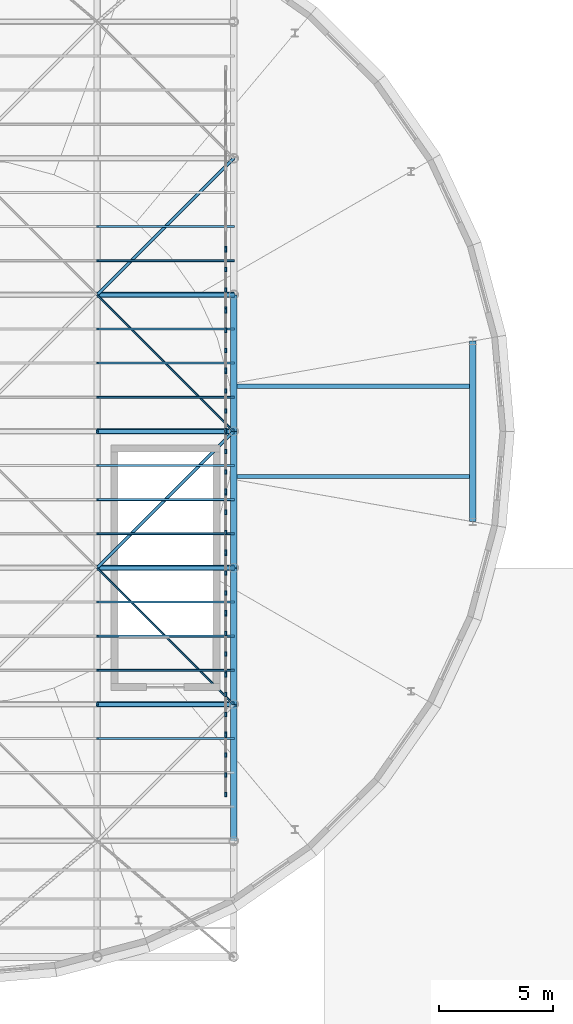
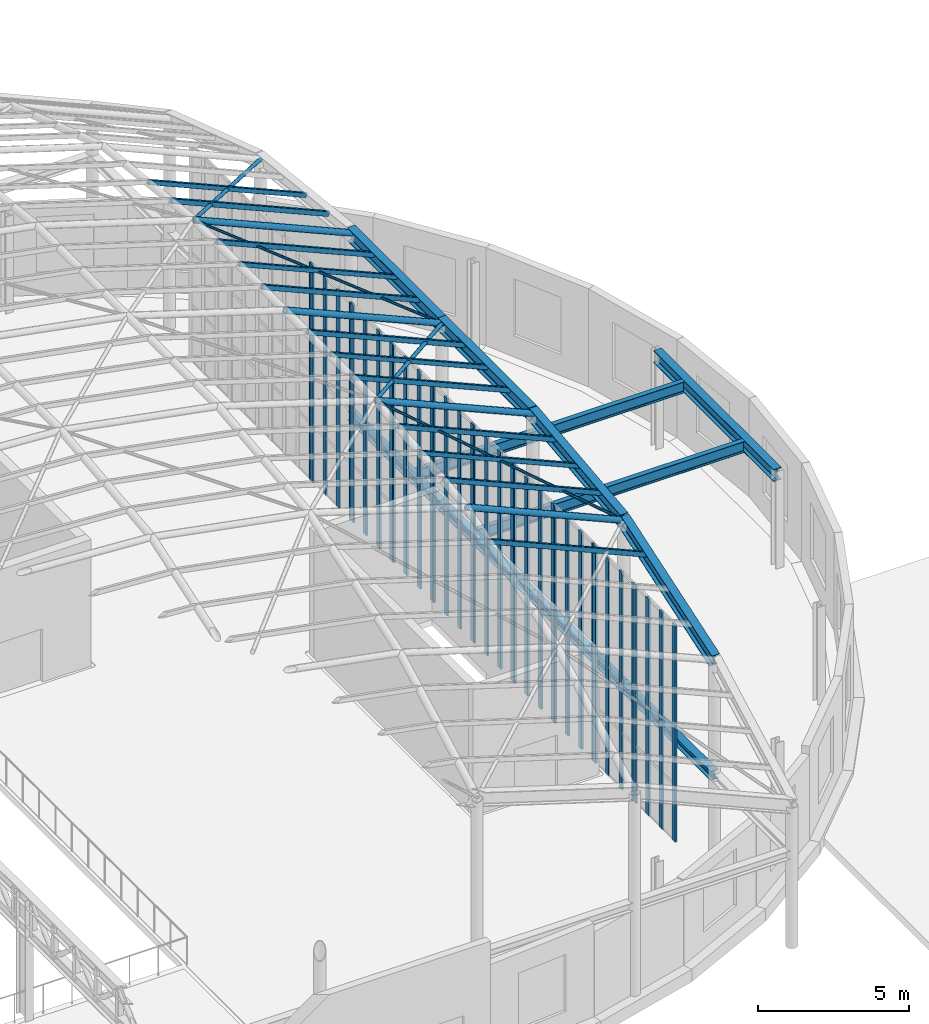
# One storey, part 39 of 75: 57 members, 11 beams, 10 elements without a shape of their own.
"""IFC4 building model written with IfcOpenShell, lengths in metres."""

from ifc_helpers import new_model, si_unit, direction, frame, origin, origin_2d, place, context, subcontext, project, spatial, rectangle, hollow_rectangle, hollow_circle, i_section, extrude, material, material_profile, profile_set, type_object, element, aggregate, save


model = new_model("IFC4")

# Units and contexts
model_context = context("Model", 3, precision=1e-05, world=origin(), true_north=direction((0.0, 1.0)))
body_context = subcontext(model_context, "Body", "Model", "MODEL_VIEW")
ifc_project = project(units=[si_unit("LENGTHUNIT", "METRE"), si_unit("AREAUNIT", "SQUARE_METRE"), si_unit("VOLUMEUNIT", "CUBIC_METRE"), si_unit("PLANEANGLEUNIT", "RADIAN"), si_unit("MASSUNIT", "GRAM", prefix="KILO")], contexts=[model_context])

# Site, building, storey
site_placement = place(None, origin())
site = spatial("IfcSite", under=ifc_project, at=site_placement, CompositionType="ELEMENT")
building_placement = place(site_placement, origin())
building = spatial("IfcBuilding", under=site, at=building_placement, Name="Kolvaren Corner Interchange", CompositionType="ELEMENT")
storey_placement = place(building_placement, frame((0.0, 0.0, 10.5)))
storey = spatial("IfcBuildingStorey", under=building, at=storey_placement, Name="L03", CompositionType="ELEMENT", Elevation=10.5)

# Beams
ifc_material_1 = material(Name="Steel S355", Category="steel")
ifc_material_profile_1 = material_profile(ifc_material_1, i_section(OverallWidth=0.300048828125, OverallDepth=0.35009765625, WebThickness=0.010009765625, FlangeThickness=0.017578125, FilletRadius=0.027099609375, at=origin_2d()), Name="HEA 360")
ifc_profile_set_1 = profile_set([ifc_material_profile_1], Name="Steel S355")
beam_type_1 = type_object("IfcBeamType", Name="BM-HEA360", PredefinedType="BEAM", material=ifc_profile_set_1)
for number, where, z_axis, x_axis, name in (
    (1, (132.0, 30.0, 3.77490234375), (0.0, 1.0, 0.0), (-1.0, 0.0, 0.0), "Storey L03 Grid Y Primary Girder 0934"),
    (2, (132.0, 36.0, 3.77490234375), (0.0, 1.0, 0.0), (-1.0, 0.0, 0.0), "Storey L03 Grid Y Primary Girder 0935"),
    (3, (132.0, 42.0, 3.77490234375), (0.0, 1.0, 0.0), (-1.0, 0.0, 0.0), "Storey L03 Grid Y Primary Girder 0936"),
    (4, (132.0, 48.0, 3.77490234375), (0.0, 1.0, 0.0), (-1.0, 0.0, 0.0), "Storey L03 Grid Y Primary Girder 0937"),
):
    element("IfcBeam", number, at=place(storey_placement, frame(where, z_axis=z_axis, x_axis=x_axis)), inside=storey, type_object=beam_type_1, Name=name, PredefinedType="BEAM", context=body_context, shape_type="SweptSolid", body=[
        extrude(i_section(OverallWidth=0.300048828125, OverallDepth=0.35009765625, WebThickness=0.010009765625, FlangeThickness=0.017578125, FilletRadius=0.027099609375, at=origin_2d()), origin(), (0.0, 0.0, 1.0), 6.0),
    ])
ifc_material_2 = material(Name="Steel S355", Category="steel")
ifc_material_profile_2 = material_profile(ifc_material_2, i_section(OverallWidth=0.300048828125, OverallDepth=0.489990234375, WebThickness=0.011962890625, FlangeThickness=0.02294921875, FilletRadius=0.027099609375, at=origin_2d()), Name="HEA 500")
ifc_profile_set_2 = profile_set([ifc_material_profile_2], Name="Steel S355")
beam_type_2 = type_object("IfcBeamType", Name="BM-HEA500", PredefinedType="BEAM", material=ifc_profile_set_2)
beam_1_placement = place(storey_placement, frame((142.5029296875, 44.031982421875, 3.705078125), z_axis=(0.0, 1.0, 0.0), x_axis=(-1.0, 0.0, 0.0)))
element("IfcBeam", 5, at=beam_1_placement, inside=storey, type_object=beam_type_2, Name="Storey L03 Grid Y Primary Girder 0941", PredefinedType="BEAM", context=body_context, shape_type="SweptSolid", body=[
    extrude(i_section(OverallWidth=0.300048828125, OverallDepth=0.489990234375, WebThickness=0.011962890625, FlangeThickness=0.02294921875, FilletRadius=0.027099609375, at=origin_2d()), origin(), (0.0, 0.0, 1.0), 7.93603515625),
])
ifc_material_3 = material(Name="Steel S355", Category="steel")
ifc_material_profile_3 = material_profile(ifc_material_3, i_section(OverallWidth=0.300048828125, OverallDepth=0.5400390625, WebThickness=0.012451171875, FlangeThickness=0.02392578125, FilletRadius=0.027099609375, at=origin_2d()), Name="HEA 550")
ifc_profile_set_3 = profile_set([ifc_material_profile_3], Name="Steel S355")
beam_type_3 = type_object("IfcBeamType", Name="BM-HEA550", PredefinedType="BEAM", material=ifc_profile_set_3)
beam_2_placement = place(storey_placement, frame((132.0, 30.0, 8.4130859375), z_axis=(0.0, 0.948683298051, 0.316227766017), x_axis=(-1.0, 0.0, 0.0)))
element("IfcBeam", 6, at=beam_2_placement, inside=storey, type_object=beam_type_3, Name="Concourse Translational Gridshell Eaves Ring Beam 038", PredefinedType="BEAM", context=body_context, shape_type="SweptSolid", body=[
    extrude(i_section(OverallWidth=0.300048828125, OverallDepth=0.5400390625, WebThickness=0.012451171875, FlangeThickness=0.02392578125, FilletRadius=0.027099609375, at=origin_2d()), origin(), (0.0, 0.0, 1.0), 6.324462890625),
])
beam_3_placement = place(storey_placement, frame((132.0, 36.0, 10.4130859375), z_axis=(0.0, 0.993877815052, 0.110484789662), x_axis=(-1.0, 0.0, 0.0)))
element("IfcBeam", 7, at=beam_3_placement, inside=storey, type_object=beam_type_3, Name="Concourse Translational Gridshell Eaves Ring Beam 039", PredefinedType="BEAM", context=body_context, shape_type="SweptSolid", body=[
    extrude(i_section(OverallWidth=0.300048828125, OverallDepth=0.5400390625, WebThickness=0.012451171875, FlangeThickness=0.02392578125, FilletRadius=0.027099609375, at=origin_2d()), origin(), (0.0, 0.0, 1.0), 6.036865234375),
])
for number, where, z_axis, x_axis, name in (
    (8, (132.0, 42.0, 11.080078125), (0.0, 1.0, 0.0), (-1.0, 0.0, 0.0), "Concourse Translational Gridshell Eaves Ring Beam 040"),
    (9, (132.0, 48.0, 11.080078125), (0.0, 1.0, 0.0), (-1.0, 0.0, 0.0), "Concourse Translational Gridshell Eaves Ring Beam 041"),
):
    element("IfcBeam", number, at=place(storey_placement, frame(where, z_axis=z_axis, x_axis=x_axis)), inside=storey, type_object=beam_type_3, Name=name, PredefinedType="BEAM", context=body_context, shape_type="SweptSolid", body=[
        extrude(i_section(OverallWidth=0.300048828125, OverallDepth=0.5400390625, WebThickness=0.012451171875, FlangeThickness=0.02392578125, FilletRadius=0.027099609375, at=origin_2d()), origin(), (0.0, 0.0, 1.0), 6.0),
    ])
ifc_material_4 = material(Name="Steel S355", Category="steel")
ifc_material_profile_4 = material_profile(ifc_material_4, i_section(OverallWidth=0.18994140625, OverallDepth=0.449951171875, WebThickness=0.009521484375, FlangeThickness=0.0146484375, FilletRadius=0.02099609375, at=origin_2d()), Name="IPE 450")
ifc_profile_set_4 = profile_set([ifc_material_profile_4], Name="Steel S355")
beam_type_4 = type_object("IfcBeamType", Name="JS-IPE450", PredefinedType="JOIST", material=ifc_profile_set_4)
for number, where, z_axis, x_axis, name in (
    (10, (132.14990234375, 46.01611328125, 3.72509765625), (1.0, 0.0, 0.0), (0.0, 1.0, 0.0), "Storey L03 Composite Floor Joist 0831"),
    (11, (132.14990234375, 49.98388671875, 3.72509765625), (1.0, 0.0, 0.0), (0.0, 1.0, 0.0), "Storey L03 Composite Floor Joist 0832"),
):
    element("IfcBeam", number, at=place(storey_placement, frame(where, z_axis=z_axis, x_axis=x_axis)), inside=storey, type_object=beam_type_4, Name=name, PredefinedType="JOIST", context=body_context, shape_type="SweptSolid", body=[
        extrude(i_section(OverallWidth=0.18994140625, OverallDepth=0.449951171875, WebThickness=0.009521484375, FlangeThickness=0.0146484375, FilletRadius=0.02099609375, at=origin_2d()), origin(), (0.0, 0.0, 1.0), 10.203125),
    ])

# Members
ifc_material_5 = material(Name="Steel S355", Category="steel")
ifc_material_profile_5 = material_profile(ifc_material_5, hollow_circle(Radius=0.05078125, WallThickness=0.00634765625, at=origin_2d()), Name="CHS 101.6x6.3")
ifc_profile_set_5 = profile_set([ifc_material_profile_5], Name="Steel S355")
member_type_1 = type_object("IfcMemberType", Name="MEM-BR-CHS102", PredefinedType="BRACE", material=ifc_profile_set_5)
member_1_placement = place(storey_placement, frame((126.0, 42.0, 13.705078125), z_axis=(0.6592323516, -0.6592323516, -0.361697958536), x_axis=(0.707106781187, 0.707106781187, 0.0)))
element("IfcMember", 12, at=member_1_placement, inside=storey, type_object=member_type_1, Name="Concourse Translational Gridshell Nodal Diagonal Brace 0107", PredefinedType="BRACE", context=body_context, shape_type="SweptSolid", body=[
    extrude(hollow_circle(Radius=0.05078125, WallThickness=0.00634765625, at=origin_2d()), origin(), (0.0, 0.0, 1.0), 9.1015625),
])
member_2_placement = place(storey_placement, frame((126.0, 54.0, 13.705078125), z_axis=(0.675520529473, -0.675520529473, -0.295540231645), x_axis=(0.707106781187, 0.707106781187, 0.0)))
element("IfcMember", 13, at=member_2_placement, inside=storey, type_object=member_type_1, Name="Concourse Translational Gridshell Nodal Diagonal Brace 0109", PredefinedType="BRACE", context=body_context, shape_type="SweptSolid", body=[
    extrude(hollow_circle(Radius=0.05078125, WallThickness=0.00634765625, at=origin_2d()), origin(), (0.0, 0.0, 1.0), 8.882080078125),
])
ifc_material_6 = material(Name="Steel S355", Category="steel")
ifc_material_profile_6 = material_profile(ifc_material_6, hollow_circle(Radius=0.06982421875, WallThickness=0.008056640625, at=origin_2d()), Name="CHS 139.7x8.0")
ifc_profile_set_6 = profile_set([ifc_material_profile_6], Name="Steel S355")
member_type_2 = type_object("IfcMemberType", Name="MEM-BR-CHS140", PredefinedType="BRACE", material=ifc_profile_set_6)
member_3_placement = place(storey_placement, frame((126.0, 42.0, 13.705078125), z_axis=(0.675520529473, 0.675520529473, -0.295540231645), x_axis=(-0.707106781187, 0.707106781187, 0.0)))
element("IfcMember", 14, at=member_3_placement, inside=storey, type_object=member_type_2, Name="Concourse Translational Gridshell Nodal Diagonal Brace 0108", PredefinedType="BRACE", context=body_context, shape_type="SweptSolid", body=[
    extrude(hollow_circle(Radius=0.06982421875, WallThickness=0.008056640625, at=origin_2d()), origin(), (0.0, 0.0, 1.0), 8.882080078125),
])
member_4_placement = place(storey_placement, frame((126.0, 54.0, 13.705078125), z_axis=(0.6592323516, 0.6592323516, -0.361697958536), x_axis=(-0.707106781187, 0.707106781187, 0.0)))
element("IfcMember", 15, at=member_4_placement, inside=storey, type_object=member_type_2, Name="Concourse Translational Gridshell Nodal Diagonal Brace 0110", PredefinedType="BRACE", context=body_context, shape_type="SweptSolid", body=[
    extrude(hollow_circle(Radius=0.06982421875, WallThickness=0.008056640625, at=origin_2d()), origin(), (0.0, 0.0, 1.0), 9.1015625),
])
ifc_material_7 = material(Name="Steel S355", Category="steel")
ifc_material_profile_7 = material_profile(ifc_material_7, hollow_circle(Radius=0.122314453125, WallThickness=0.012451171875, at=origin_2d()), Name="CHS 244.5x12.5")
ifc_profile_set_7 = profile_set([ifc_material_profile_7], Name="Steel S355")
member_type_3 = type_object("IfcMemberType", Name="MEM-CH-CHS245", PredefinedType="CHORD", material=ifc_profile_set_7)
for number, where, z_axis, x_axis, name in (
    (16, (126.0, 36.0, 13.0380859375), (0.916157334902, 0.0, -0.40081883402), (0.0, 1.0, 0.0), "Concourse Translational Gridshell Longitudinal Arch Chord 0132"),
    (17, (126.0, 42.0, 13.705078125), (0.916157334902, 0.0, -0.40081883402), (0.0, 1.0, 0.0), "Concourse Translational Gridshell Longitudinal Arch Chord 0146"),
    (18, (126.0, 48.0, 13.705078125), (0.916157334902, 0.0, -0.40081883402), (0.0, 1.0, 0.0), "Concourse Translational Gridshell Longitudinal Arch Chord 0160"),
    (19, (126.0, 54.0, 13.705078125), (0.916157334902, 0.0, -0.40081883402), (0.0, 1.0, 0.0), "Concourse Translational Gridshell Longitudinal Arch Chord 0174"),
):
    element("IfcMember", number, at=place(storey_placement, frame(where, z_axis=z_axis, x_axis=x_axis)), inside=storey, type_object=member_type_3, Name=name, PredefinedType="CHORD", context=body_context, shape_type="SweptSolid", body=[
        extrude(hollow_circle(Radius=0.122314453125, WallThickness=0.012451171875, at=origin_2d()), origin(), (0.0, 0.0, 1.0), 6.549072265625),
    ])
ifc_material_8 = material(Name="Steel S355", Category="steel")
ifc_material_profile_8 = material_profile(ifc_material_8, hollow_rectangle(XDim=0.10009765625, YDim=0.179931640625, WallThickness=0.008056640625, InnerFilletRadius=0.008056640625, OuterFilletRadius=0.01611328125, at=origin_2d()), Name="RHS 180x100x8.0")
ifc_profile_set_8 = profile_set([ifc_material_profile_8], Name="Steel S355")
member_type_4 = type_object("IfcMemberType", Name="MEM-PR-RHS180", PredefinedType="PURLIN", material=ifc_profile_set_8)
for number, where, z_axis, x_axis, name in (
    (20, (126.0, 39.0, 13.41943359375), (0.916157334902, 0.0, -0.40081883402), (0.0, 1.0, 0.0), "Concourse Translational Gridshell Glazing Purlin 0107 Row 2"),
    (21, (126.0, 45.0, 13.7529296875), (0.916157334902, 0.0, -0.40081883402), (0.0, 1.0, 0.0), "Concourse Translational Gridshell Glazing Purlin 0108 Row 2"),
    (22, (126.0, 51.0, 13.7529296875), (0.916157334902, 0.0, -0.40081883402), (0.0, 1.0, 0.0), "Concourse Translational Gridshell Glazing Purlin 0109 Row 2"),
    (23, (126.0, 57.0, 13.41943359375), (0.916157334902, 0.0, -0.40081883402), (0.0, 1.0, 0.0), "Concourse Translational Gridshell Glazing Purlin 0110 Row 2"),
):
    element("IfcMember", number, at=place(storey_placement, frame(where, z_axis=z_axis, x_axis=x_axis)), inside=storey, type_object=member_type_4, Name=name, PredefinedType="PURLIN", context=body_context, shape_type="SweptSolid", body=[
        extrude(hollow_rectangle(XDim=0.10009765625, YDim=0.179931640625, WallThickness=0.008056640625, InnerFilletRadius=0.008056640625, OuterFilletRadius=0.01611328125, at=origin_2d()), origin(), (0.0, 0.0, 1.0), 6.549072265625),
    ])
ifc_material_9 = material(Name="Steel S355", Category="steel")
ifc_material_profile_9 = material_profile(ifc_material_9, hollow_rectangle(XDim=0.10009765625, YDim=0.199951171875, WallThickness=0.008056640625, InnerFilletRadius=0.008056640625, OuterFilletRadius=0.01611328125, at=origin_2d()), Name="RHS 200x100x8.0")
ifc_profile_set_9 = profile_set([ifc_material_profile_9], Name="Steel S355")
member_type_5 = type_object("IfcMemberType", Name="MEM-PR-RHS200", PredefinedType="PURLIN", material=ifc_profile_set_9)
for number, where, z_axis, x_axis, name in (
    (24, (126.0, 34.5, 12.575927734375), (0.916157334902, 0.0, -0.40081883402), (0.0, 1.0, 0.0), "Concourse Translational Gridshell Glazing Purlin 0106 Row 3"),
    (25, (126.0, 37.5, 13.24267578125), (0.916157334902, 0.0, -0.40081883402), (0.0, 1.0, 0.0), "Concourse Translational Gridshell Glazing Purlin 0107 Row 1"),
    (26, (126.0, 40.5, 13.576171875), (0.916157334902, 0.0, -0.40081883402), (0.0, 1.0, 0.0), "Concourse Translational Gridshell Glazing Purlin 0107 Row 3"),
    (27, (126.0, 43.5, 13.742919921875), (0.916157334902, 0.0, -0.40081883402), (0.0, 1.0, 0.0), "Concourse Translational Gridshell Glazing Purlin 0108 Row 1"),
    (28, (126.0, 46.5, 13.742919921875), (0.916157334902, 0.0, -0.40081883402), (0.0, 1.0, 0.0), "Concourse Translational Gridshell Glazing Purlin 0108 Row 3"),
    (29, (126.0, 49.5, 13.742919921875), (0.916157334902, 0.0, -0.40081883402), (0.0, 1.0, 0.0), "Concourse Translational Gridshell Glazing Purlin 0109 Row 1"),
    (30, (126.0, 52.5, 13.742919921875), (0.916157334902, 0.0, -0.40081883402), (0.0, 1.0, 0.0), "Concourse Translational Gridshell Glazing Purlin 0109 Row 3"),
    (31, (126.0, 55.5, 13.576171875), (0.916157334902, 0.0, -0.40081883402), (0.0, 1.0, 0.0), "Concourse Translational Gridshell Glazing Purlin 0110 Row 1"),
):
    element("IfcMember", number, at=place(storey_placement, frame(where, z_axis=z_axis, x_axis=x_axis)), inside=storey, type_object=member_type_5, Name=name, PredefinedType="PURLIN", context=body_context, shape_type="SweptSolid", body=[
        extrude(hollow_rectangle(XDim=0.10009765625, YDim=0.199951171875, WallThickness=0.008056640625, InnerFilletRadius=0.008056640625, OuterFilletRadius=0.01611328125, at=origin_2d()), origin(), (0.0, 0.0, 1.0), 6.549072265625),
    ])

# Curtain wall, members
ifc_material_10 = material(Name="Unitised Aluminium and Solar-Control Glass Curtain Wall", Category="aluminium")
curtain_wall_type = type_object("IfcCurtainWallType", Name="CW-V1-CLER", PredefinedType="NOTDEFINED", material=ifc_material_10)
curtain_wall_1_placement = place(storey_placement, origin())
curtain_wall_1 = element("IfcCurtainWall", 32, at=curtain_wall_1_placement, inside=storey, type_object=curtain_wall_type, Name="Gridshell East End Curtain Wall Bay 01", PredefinedType="NOTDEFINED")
ifc_material_11 = material(Name="Anodised Aluminium Framing", Category="aluminium")
ifc_material_profile_10 = material_profile(ifc_material_11, rectangle(XDim=0.070068359375, YDim=0.199951171875, at=origin_2d()), Name="ALU 70x200")
ifc_profile_set_10 = profile_set([ifc_material_profile_10], Name="Anodised Aluminium Framing")
member_type_6 = type_object("IfcMemberType", Name="MUL-ALU70x200", PredefinedType="MULLION", material=ifc_profile_set_10)
member_5_placement = place(storey_placement, frame((131.64990234375, 32.034912109375, 0.0), z_axis=(0.0, 0.0, 1.0), x_axis=(-1.0, 0.0, 0.0)))
member_5 = element("IfcMember", 33, at=member_5_placement, type_object=member_type_6, Name="CW-094 mullion 1", PredefinedType="MULLION", context=body_context, shape_type="SweptSolid", body=[
    extrude(rectangle(XDim=0.070068359375, YDim=0.199951171875, at=origin_2d()), origin(), (0.0, 0.0, 1.0), 8.77197265625),
])
member_6_placement = place(storey_placement, frame((131.64990234375, 32.888916015625, 0.0), z_axis=(0.0, 0.0, 1.0), x_axis=(-1.0, 0.0, 0.0)))
member_6 = element("IfcMember", 34, at=member_6_placement, type_object=member_type_6, Name="CW-094 mullion 2", PredefinedType="MULLION", context=body_context, shape_type="SweptSolid", body=[
    extrude(rectangle(XDim=0.070068359375, YDim=0.199951171875, at=origin_2d()), origin(), (0.0, 0.0, 1.0), 8.77197265625),
])
member_7_placement = place(storey_placement, frame((131.64990234375, 33.77783203125, 0.0), z_axis=(0.0, 0.0, 1.0), x_axis=(-1.0, 0.0, 0.0)))
member_7 = element("IfcMember", 35, at=member_7_placement, type_object=member_type_6, Name="CW-094 mullion 3", PredefinedType="MULLION", context=body_context, shape_type="SweptSolid", body=[
    extrude(rectangle(XDim=0.070068359375, YDim=0.199951171875, at=origin_2d()), origin(), (0.0, 0.0, 1.0), 8.77197265625),
])
member_8_placement = place(storey_placement, frame((131.64990234375, 34.631591796875, 0.0), z_axis=(0.0, 0.0, 1.0), x_axis=(-1.0, 0.0, 0.0)))
member_8 = element("IfcMember", 36, at=member_8_placement, type_object=member_type_6, Name="CW-094 mullion 4", PredefinedType="MULLION", context=body_context, shape_type="SweptSolid", body=[
    extrude(rectangle(XDim=0.070068359375, YDim=0.199951171875, at=origin_2d()), origin(), (0.0, 0.0, 1.0), 8.77197265625),
])
aggregate(curtain_wall_1, [member_5, member_6, member_7, member_8])

curtain_wall_2_placement = place(storey_placement, origin())
curtain_wall_2 = element("IfcCurtainWall", 37, at=curtain_wall_2_placement, inside=storey, type_object=curtain_wall_type, Name="Gridshell East End Curtain Wall Bay 02", PredefinedType="NOTDEFINED")
member_9_placement = place(storey_placement, frame((131.64990234375, 34.70166015625, 0.0), z_axis=(0.0, 0.0, 1.0), x_axis=(-1.0, 0.0, 0.0)))
member_9 = element("IfcMember", 38, at=member_9_placement, type_object=member_type_6, Name="CW-095 mullion 1", PredefinedType="MULLION", context=body_context, shape_type="SweptSolid", body=[
    extrude(rectangle(XDim=0.070068359375, YDim=0.199951171875, at=origin_2d()), origin(), (0.0, 0.0, 1.0), 8.77197265625),
])
member_10_placement = place(storey_placement, frame((131.64990234375, 35.5556640625, 0.0), z_axis=(0.0, 0.0, 1.0), x_axis=(-1.0, 0.0, 0.0)))
member_10 = element("IfcMember", 39, at=member_10_placement, type_object=member_type_6, Name="CW-095 mullion 2", PredefinedType="MULLION", context=body_context, shape_type="SweptSolid", body=[
    extrude(rectangle(XDim=0.070068359375, YDim=0.199951171875, at=origin_2d()), origin(), (0.0, 0.0, 1.0), 8.77197265625),
])
member_11_placement = place(storey_placement, frame((131.64990234375, 36.4443359375, 0.0), z_axis=(0.0, 0.0, 1.0), x_axis=(-1.0, 0.0, 0.0)))
member_11 = element("IfcMember", 40, at=member_11_placement, type_object=member_type_6, Name="CW-095 mullion 3", PredefinedType="MULLION", context=body_context, shape_type="SweptSolid", body=[
    extrude(rectangle(XDim=0.070068359375, YDim=0.199951171875, at=origin_2d()), origin(), (0.0, 0.0, 1.0), 8.77197265625),
])
member_12_placement = place(storey_placement, frame((131.64990234375, 37.29833984375, 0.0), z_axis=(0.0, 0.0, 1.0), x_axis=(-1.0, 0.0, 0.0)))
member_12 = element("IfcMember", 41, at=member_12_placement, type_object=member_type_6, Name="CW-095 mullion 4", PredefinedType="MULLION", context=body_context, shape_type="SweptSolid", body=[
    extrude(rectangle(XDim=0.070068359375, YDim=0.199951171875, at=origin_2d()), origin(), (0.0, 0.0, 1.0), 8.77197265625),
])
aggregate(curtain_wall_2, [member_9, member_10, member_11, member_12])

curtain_wall_3_placement = place(storey_placement, origin())
curtain_wall_3 = element("IfcCurtainWall", 42, at=curtain_wall_3_placement, inside=storey, type_object=curtain_wall_type, Name="Gridshell East End Curtain Wall Bay 03", PredefinedType="NOTDEFINED")
member_13_placement = place(storey_placement, frame((131.64990234375, 37.368408203125, 0.0), z_axis=(0.0, 0.0, 1.0), x_axis=(-1.0, 0.0, 0.0)))
member_13 = element("IfcMember", 43, at=member_13_placement, type_object=member_type_6, Name="CW-096 mullion 1", PredefinedType="MULLION", context=body_context, shape_type="SweptSolid", body=[
    extrude(rectangle(XDim=0.070068359375, YDim=0.199951171875, at=origin_2d()), origin(), (0.0, 0.0, 1.0), 8.77197265625),
])
member_14_placement = place(storey_placement, frame((131.64990234375, 38.22216796875, 0.0), z_axis=(0.0, 0.0, 1.0), x_axis=(-1.0, 0.0, 0.0)))
member_14 = element("IfcMember", 44, at=member_14_placement, type_object=member_type_6, Name="CW-096 mullion 2", PredefinedType="MULLION", context=body_context, shape_type="SweptSolid", body=[
    extrude(rectangle(XDim=0.070068359375, YDim=0.199951171875, at=origin_2d()), origin(), (0.0, 0.0, 1.0), 8.77197265625),
])
member_15_placement = place(storey_placement, frame((131.64990234375, 39.111083984375, 0.0), z_axis=(0.0, 0.0, 1.0), x_axis=(-1.0, 0.0, 0.0)))
member_15 = element("IfcMember", 45, at=member_15_placement, type_object=member_type_6, Name="CW-096 mullion 3", PredefinedType="MULLION", context=body_context, shape_type="SweptSolid", body=[
    extrude(rectangle(XDim=0.070068359375, YDim=0.199951171875, at=origin_2d()), origin(), (0.0, 0.0, 1.0), 8.77197265625),
])
member_16_placement = place(storey_placement, frame((131.64990234375, 39.965087890625, 0.0), z_axis=(0.0, 0.0, 1.0), x_axis=(-1.0, 0.0, 0.0)))
member_16 = element("IfcMember", 46, at=member_16_placement, type_object=member_type_6, Name="CW-096 mullion 4", PredefinedType="MULLION", context=body_context, shape_type="SweptSolid", body=[
    extrude(rectangle(XDim=0.070068359375, YDim=0.199951171875, at=origin_2d()), origin(), (0.0, 0.0, 1.0), 8.77197265625),
])
aggregate(curtain_wall_3, [member_13, member_14, member_15, member_16])

curtain_wall_4_placement = place(storey_placement, origin())
curtain_wall_4 = element("IfcCurtainWall", 47, at=curtain_wall_4_placement, inside=storey, type_object=curtain_wall_type, Name="Gridshell East End Curtain Wall Bay 04", PredefinedType="NOTDEFINED")
member_17_placement = place(storey_placement, frame((131.64990234375, 40.034912109375, 0.0), z_axis=(0.0, 0.0, 1.0), x_axis=(-1.0, 0.0, 0.0)))
member_17 = element("IfcMember", 48, at=member_17_placement, type_object=member_type_6, Name="CW-097 mullion 1", PredefinedType="MULLION", context=body_context, shape_type="SweptSolid", body=[
    extrude(rectangle(XDim=0.070068359375, YDim=0.199951171875, at=origin_2d()), origin(), (0.0, 0.0, 1.0), 8.77197265625),
])
member_18_placement = place(storey_placement, frame((131.64990234375, 40.888916015625, 0.0), z_axis=(0.0, 0.0, 1.0), x_axis=(-1.0, 0.0, 0.0)))
member_18 = element("IfcMember", 49, at=member_18_placement, type_object=member_type_6, Name="CW-097 mullion 2", PredefinedType="MULLION", context=body_context, shape_type="SweptSolid", body=[
    extrude(rectangle(XDim=0.070068359375, YDim=0.199951171875, at=origin_2d()), origin(), (0.0, 0.0, 1.0), 8.77197265625),
])
member_19_placement = place(storey_placement, frame((131.64990234375, 41.77783203125, 0.0), z_axis=(0.0, 0.0, 1.0), x_axis=(-1.0, 0.0, 0.0)))
member_19 = element("IfcMember", 50, at=member_19_placement, type_object=member_type_6, Name="CW-097 mullion 3", PredefinedType="MULLION", context=body_context, shape_type="SweptSolid", body=[
    extrude(rectangle(XDim=0.070068359375, YDim=0.199951171875, at=origin_2d()), origin(), (0.0, 0.0, 1.0), 8.77197265625),
])
member_20_placement = place(storey_placement, frame((131.64990234375, 42.631591796875, 0.0), z_axis=(0.0, 0.0, 1.0), x_axis=(-1.0, 0.0, 0.0)))
member_20 = element("IfcMember", 51, at=member_20_placement, type_object=member_type_6, Name="CW-097 mullion 4", PredefinedType="MULLION", context=body_context, shape_type="SweptSolid", body=[
    extrude(rectangle(XDim=0.070068359375, YDim=0.199951171875, at=origin_2d()), origin(), (0.0, 0.0, 1.0), 8.77197265625),
])
aggregate(curtain_wall_4, [member_17, member_18, member_19, member_20])

curtain_wall_5_placement = place(storey_placement, origin())
curtain_wall_5 = element("IfcCurtainWall", 52, at=curtain_wall_5_placement, inside=storey, type_object=curtain_wall_type, Name="Gridshell East End Curtain Wall Bay 05", PredefinedType="NOTDEFINED")
member_21_placement = place(storey_placement, frame((131.64990234375, 42.70166015625, 0.0), z_axis=(0.0, 0.0, 1.0), x_axis=(-1.0, 0.0, 0.0)))
member_21 = element("IfcMember", 53, at=member_21_placement, type_object=member_type_6, Name="CW-098 mullion 1", PredefinedType="MULLION", context=body_context, shape_type="SweptSolid", body=[
    extrude(rectangle(XDim=0.070068359375, YDim=0.199951171875, at=origin_2d()), origin(), (0.0, 0.0, 1.0), 8.77197265625),
])
member_22_placement = place(storey_placement, frame((131.64990234375, 43.5556640625, 0.0), z_axis=(0.0, 0.0, 1.0), x_axis=(-1.0, 0.0, 0.0)))
member_22 = element("IfcMember", 54, at=member_22_placement, type_object=member_type_6, Name="CW-098 mullion 2", PredefinedType="MULLION", context=body_context, shape_type="SweptSolid", body=[
    extrude(rectangle(XDim=0.070068359375, YDim=0.199951171875, at=origin_2d()), origin(), (0.0, 0.0, 1.0), 8.77197265625),
])
member_23_placement = place(storey_placement, frame((131.64990234375, 44.4443359375, 0.0), z_axis=(0.0, 0.0, 1.0), x_axis=(-1.0, 0.0, 0.0)))
member_23 = element("IfcMember", 55, at=member_23_placement, type_object=member_type_6, Name="CW-098 mullion 3", PredefinedType="MULLION", context=body_context, shape_type="SweptSolid", body=[
    extrude(rectangle(XDim=0.070068359375, YDim=0.199951171875, at=origin_2d()), origin(), (0.0, 0.0, 1.0), 8.77197265625),
])
member_24_placement = place(storey_placement, frame((131.64990234375, 45.29833984375, 0.0), z_axis=(0.0, 0.0, 1.0), x_axis=(-1.0, 0.0, 0.0)))
member_24 = element("IfcMember", 56, at=member_24_placement, type_object=member_type_6, Name="CW-098 mullion 4", PredefinedType="MULLION", context=body_context, shape_type="SweptSolid", body=[
    extrude(rectangle(XDim=0.070068359375, YDim=0.199951171875, at=origin_2d()), origin(), (0.0, 0.0, 1.0), 8.77197265625),
])
aggregate(curtain_wall_5, [member_21, member_22, member_23, member_24])

curtain_wall_6_placement = place(storey_placement, origin())
curtain_wall_6 = element("IfcCurtainWall", 57, at=curtain_wall_6_placement, inside=storey, type_object=curtain_wall_type, Name="Gridshell East End Curtain Wall Bay 06", PredefinedType="NOTDEFINED")
member_25_placement = place(storey_placement, frame((131.64990234375, 45.368408203125, 0.0), z_axis=(0.0, 0.0, 1.0), x_axis=(-1.0, 0.0, 0.0)))
member_25 = element("IfcMember", 58, at=member_25_placement, type_object=member_type_6, Name="CW-099 mullion 1", PredefinedType="MULLION", context=body_context, shape_type="SweptSolid", body=[
    extrude(rectangle(XDim=0.070068359375, YDim=0.199951171875, at=origin_2d()), origin(), (0.0, 0.0, 1.0), 8.77197265625),
])
member_26_placement = place(storey_placement, frame((131.64990234375, 46.22216796875, 0.0), z_axis=(0.0, 0.0, 1.0), x_axis=(-1.0, 0.0, 0.0)))
member_26 = element("IfcMember", 59, at=member_26_placement, type_object=member_type_6, Name="CW-099 mullion 2", PredefinedType="MULLION", context=body_context, shape_type="SweptSolid", body=[
    extrude(rectangle(XDim=0.070068359375, YDim=0.199951171875, at=origin_2d()), origin(), (0.0, 0.0, 1.0), 8.77197265625),
])
member_27_placement = place(storey_placement, frame((131.64990234375, 47.111083984375, 0.0), z_axis=(0.0, 0.0, 1.0), x_axis=(-1.0, 0.0, 0.0)))
member_27 = element("IfcMember", 60, at=member_27_placement, type_object=member_type_6, Name="CW-099 mullion 3", PredefinedType="MULLION", context=body_context, shape_type="SweptSolid", body=[
    extrude(rectangle(XDim=0.070068359375, YDim=0.199951171875, at=origin_2d()), origin(), (0.0, 0.0, 1.0), 8.77197265625),
])
member_28_placement = place(storey_placement, frame((131.64990234375, 47.965087890625, 0.0), z_axis=(0.0, 0.0, 1.0), x_axis=(-1.0, 0.0, 0.0)))
member_28 = element("IfcMember", 61, at=member_28_placement, type_object=member_type_6, Name="CW-099 mullion 4", PredefinedType="MULLION", context=body_context, shape_type="SweptSolid", body=[
    extrude(rectangle(XDim=0.070068359375, YDim=0.199951171875, at=origin_2d()), origin(), (0.0, 0.0, 1.0), 8.77197265625),
])
aggregate(curtain_wall_6, [member_25, member_26, member_27, member_28])

curtain_wall_7_placement = place(storey_placement, origin())
curtain_wall_7 = element("IfcCurtainWall", 62, at=curtain_wall_7_placement, inside=storey, type_object=curtain_wall_type, Name="Gridshell East End Curtain Wall Bay 07", PredefinedType="NOTDEFINED")
member_29_placement = place(storey_placement, frame((131.64990234375, 48.034912109375, 0.0), z_axis=(0.0, 0.0, 1.0), x_axis=(-1.0, 0.0, 0.0)))
member_29 = element("IfcMember", 63, at=member_29_placement, type_object=member_type_6, Name="CW-100 mullion 1", PredefinedType="MULLION", context=body_context, shape_type="SweptSolid", body=[
    extrude(rectangle(XDim=0.070068359375, YDim=0.199951171875, at=origin_2d()), origin(), (0.0, 0.0, 1.0), 8.77197265625),
])
member_30_placement = place(storey_placement, frame((131.64990234375, 48.888916015625, 0.0), z_axis=(0.0, 0.0, 1.0), x_axis=(-1.0, 0.0, 0.0)))
member_30 = element("IfcMember", 64, at=member_30_placement, type_object=member_type_6, Name="CW-100 mullion 2", PredefinedType="MULLION", context=body_context, shape_type="SweptSolid", body=[
    extrude(rectangle(XDim=0.070068359375, YDim=0.199951171875, at=origin_2d()), origin(), (0.0, 0.0, 1.0), 8.77197265625),
])
member_31_placement = place(storey_placement, frame((131.64990234375, 49.77783203125, 0.0), z_axis=(0.0, 0.0, 1.0), x_axis=(-1.0, 0.0, 0.0)))
member_31 = element("IfcMember", 65, at=member_31_placement, type_object=member_type_6, Name="CW-100 mullion 3", PredefinedType="MULLION", context=body_context, shape_type="SweptSolid", body=[
    extrude(rectangle(XDim=0.070068359375, YDim=0.199951171875, at=origin_2d()), origin(), (0.0, 0.0, 1.0), 8.77197265625),
])
member_32_placement = place(storey_placement, frame((131.64990234375, 50.631591796875, 0.0), z_axis=(0.0, 0.0, 1.0), x_axis=(-1.0, 0.0, 0.0)))
member_32 = element("IfcMember", 66, at=member_32_placement, type_object=member_type_6, Name="CW-100 mullion 4", PredefinedType="MULLION", context=body_context, shape_type="SweptSolid", body=[
    extrude(rectangle(XDim=0.070068359375, YDim=0.199951171875, at=origin_2d()), origin(), (0.0, 0.0, 1.0), 8.77197265625),
])
aggregate(curtain_wall_7, [member_29, member_30, member_31, member_32])

curtain_wall_8_placement = place(storey_placement, origin())
curtain_wall_8 = element("IfcCurtainWall", 67, at=curtain_wall_8_placement, inside=storey, type_object=curtain_wall_type, Name="Gridshell East End Curtain Wall Bay 08", PredefinedType="NOTDEFINED")
member_33_placement = place(storey_placement, frame((131.64990234375, 50.70166015625, 0.0), z_axis=(0.0, 0.0, 1.0), x_axis=(-1.0, 0.0, 0.0)))
member_33 = element("IfcMember", 68, at=member_33_placement, type_object=member_type_6, Name="CW-101 mullion 1", PredefinedType="MULLION", context=body_context, shape_type="SweptSolid", body=[
    extrude(rectangle(XDim=0.070068359375, YDim=0.199951171875, at=origin_2d()), origin(), (0.0, 0.0, 1.0), 8.77197265625),
])
member_34_placement = place(storey_placement, frame((131.64990234375, 51.5556640625, 0.0), z_axis=(0.0, 0.0, 1.0), x_axis=(-1.0, 0.0, 0.0)))
member_34 = element("IfcMember", 69, at=member_34_placement, type_object=member_type_6, Name="CW-101 mullion 2", PredefinedType="MULLION", context=body_context, shape_type="SweptSolid", body=[
    extrude(rectangle(XDim=0.070068359375, YDim=0.199951171875, at=origin_2d()), origin(), (0.0, 0.0, 1.0), 8.77197265625),
])
member_35_placement = place(storey_placement, frame((131.64990234375, 52.4443359375, 0.0), z_axis=(0.0, 0.0, 1.0), x_axis=(-1.0, 0.0, 0.0)))
member_35 = element("IfcMember", 70, at=member_35_placement, type_object=member_type_6, Name="CW-101 mullion 3", PredefinedType="MULLION", context=body_context, shape_type="SweptSolid", body=[
    extrude(rectangle(XDim=0.070068359375, YDim=0.199951171875, at=origin_2d()), origin(), (0.0, 0.0, 1.0), 8.77197265625),
])
member_36_placement = place(storey_placement, frame((131.64990234375, 53.29833984375, 0.0), z_axis=(0.0, 0.0, 1.0), x_axis=(-1.0, 0.0, 0.0)))
member_36 = element("IfcMember", 71, at=member_36_placement, type_object=member_type_6, Name="CW-101 mullion 4", PredefinedType="MULLION", context=body_context, shape_type="SweptSolid", body=[
    extrude(rectangle(XDim=0.070068359375, YDim=0.199951171875, at=origin_2d()), origin(), (0.0, 0.0, 1.0), 8.77197265625),
])
aggregate(curtain_wall_8, [member_33, member_34, member_35, member_36])

curtain_wall_9_placement = place(storey_placement, origin())
curtain_wall_9 = element("IfcCurtainWall", 72, at=curtain_wall_9_placement, inside=storey, type_object=curtain_wall_type, Name="Gridshell East End Curtain Wall Bay 09", PredefinedType="NOTDEFINED")
member_37_placement = place(storey_placement, frame((131.64990234375, 53.368408203125, 0.0), z_axis=(0.0, 0.0, 1.0), x_axis=(-1.0, 0.0, 0.0)))
member_37 = element("IfcMember", 73, at=member_37_placement, type_object=member_type_6, Name="CW-102 mullion 1", PredefinedType="MULLION", context=body_context, shape_type="SweptSolid", body=[
    extrude(rectangle(XDim=0.070068359375, YDim=0.199951171875, at=origin_2d()), origin(), (0.0, 0.0, 1.0), 8.77197265625),
])
member_38_placement = place(storey_placement, frame((131.64990234375, 54.22216796875, 0.0), z_axis=(0.0, 0.0, 1.0), x_axis=(-1.0, 0.0, 0.0)))
member_38 = element("IfcMember", 74, at=member_38_placement, type_object=member_type_6, Name="CW-102 mullion 2", PredefinedType="MULLION", context=body_context, shape_type="SweptSolid", body=[
    extrude(rectangle(XDim=0.070068359375, YDim=0.199951171875, at=origin_2d()), origin(), (0.0, 0.0, 1.0), 8.77197265625),
])
member_39_placement = place(storey_placement, frame((131.64990234375, 55.111083984375, 0.0), z_axis=(0.0, 0.0, 1.0), x_axis=(-1.0, 0.0, 0.0)))
member_39 = element("IfcMember", 75, at=member_39_placement, type_object=member_type_6, Name="CW-102 mullion 3", PredefinedType="MULLION", context=body_context, shape_type="SweptSolid", body=[
    extrude(rectangle(XDim=0.070068359375, YDim=0.199951171875, at=origin_2d()), origin(), (0.0, 0.0, 1.0), 8.77197265625),
])
member_40_placement = place(storey_placement, frame((131.64990234375, 55.965087890625, 0.0), z_axis=(0.0, 0.0, 1.0), x_axis=(-1.0, 0.0, 0.0)))
member_40 = element("IfcMember", 76, at=member_40_placement, type_object=member_type_6, Name="CW-102 mullion 4", PredefinedType="MULLION", context=body_context, shape_type="SweptSolid", body=[
    extrude(rectangle(XDim=0.070068359375, YDim=0.199951171875, at=origin_2d()), origin(), (0.0, 0.0, 1.0), 8.77197265625),
])
aggregate(curtain_wall_9, [member_37, member_38, member_39, member_40])

# Curtain wall, member
curtain_wall_10_placement = place(storey_placement, origin())
curtain_wall_10 = element("IfcCurtainWall", 77, at=curtain_wall_10_placement, inside=storey, type_object=curtain_wall_type, Name="Gridshell East End Curtain Wall Bay 10", PredefinedType="NOTDEFINED")
member_41_placement = place(storey_placement, frame((131.64990234375, 56.034912109375, 0.0), z_axis=(0.0, 0.0, 1.0), x_axis=(-1.0, 0.0, 0.0)))
member_41 = element("IfcMember", 78, at=member_41_placement, type_object=member_type_6, Name="CW-103 mullion 1", PredefinedType="MULLION", context=body_context, shape_type="SweptSolid", body=[
    extrude(rectangle(XDim=0.070068359375, YDim=0.199951171875, at=origin_2d()), origin(), (0.0, 0.0, 1.0), 8.77197265625),
])
aggregate(curtain_wall_10, [member_41])

save(model, "model.ifc")
